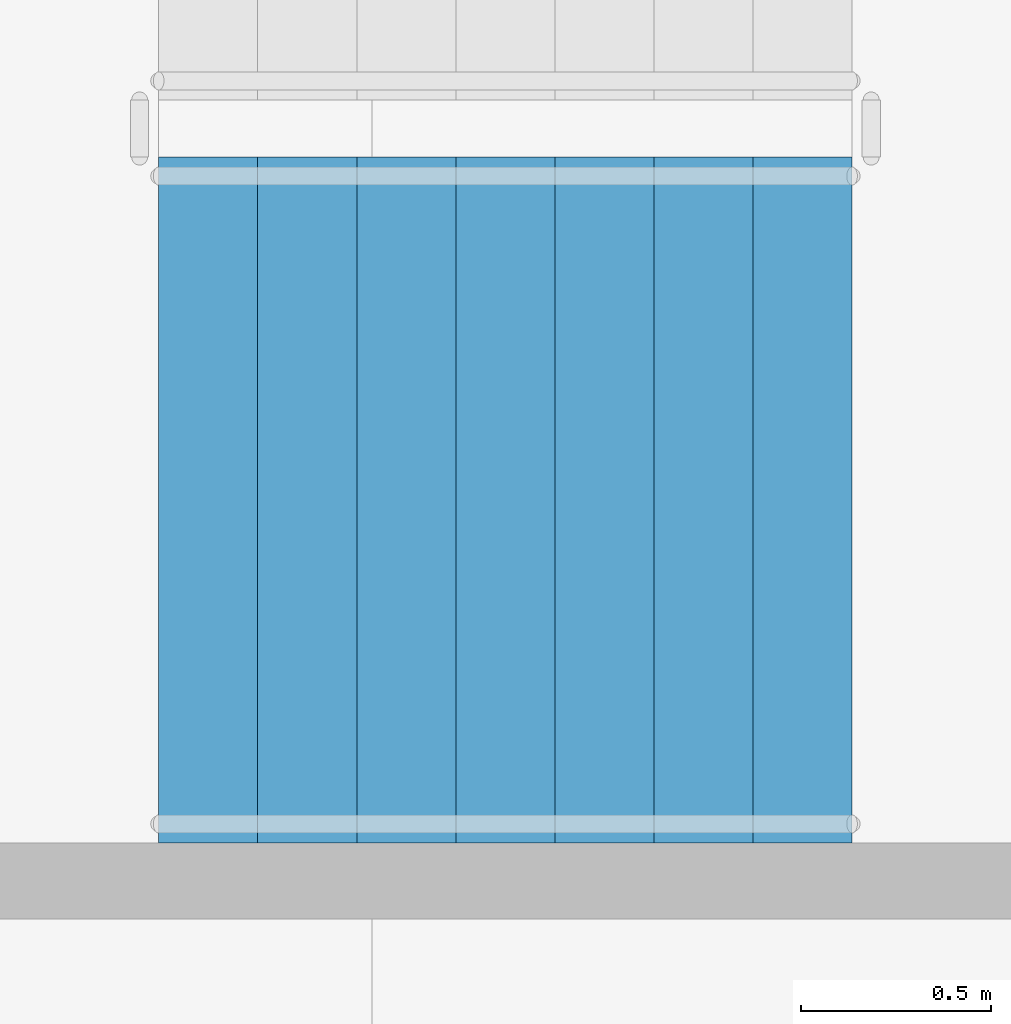
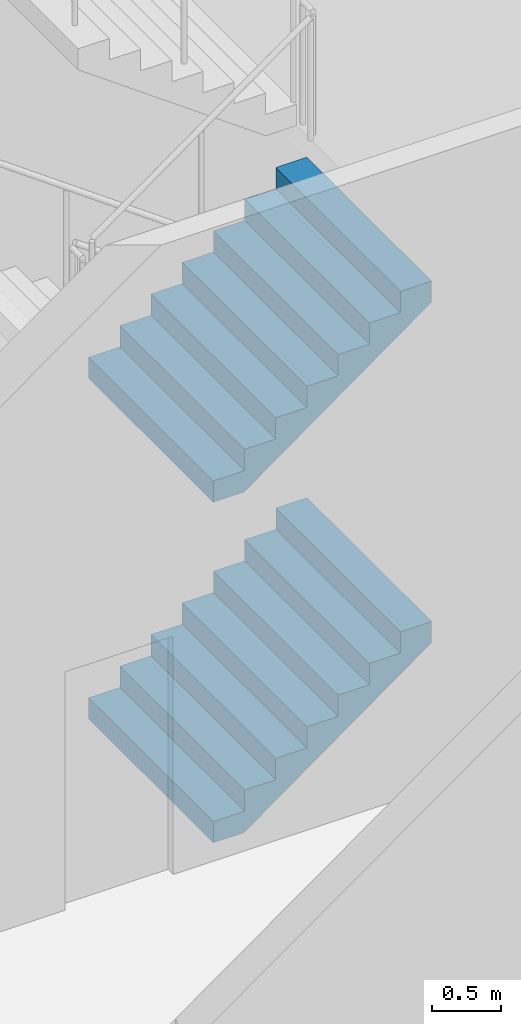
# One storey, part 62 of 75: 2 stair flights, 1 element without a shape of its own.
"""IFC4 building model written with IfcOpenShell, lengths in metres."""

from ifc_helpers import new_model, si_unit, direction, frame, origin, place, context, subcontext, project, spatial, faceted_brep, material, type_object, element, aggregate, save


model = new_model("IFC4")

# Units and contexts
model_context = context("Model", 3, precision=1e-05, world=origin(), true_north=direction((0.0, 1.0)))
body_context = subcontext(model_context, "Body", "Model", "MODEL_VIEW")
ifc_project = project(units=[si_unit("LENGTHUNIT", "METRE"), si_unit("AREAUNIT", "SQUARE_METRE"), si_unit("VOLUMEUNIT", "CUBIC_METRE"), si_unit("PLANEANGLEUNIT", "RADIAN"), si_unit("MASSUNIT", "GRAM", prefix="KILO")], contexts=[model_context])

# Site, building, storey
site_placement = place(None, origin())
site = spatial("IfcSite", under=ifc_project, at=site_placement, CompositionType="ELEMENT")
building_placement = place(site_placement, origin())
building = spatial("IfcBuilding", under=site, at=building_placement, Name="Ipe Terrace Towers", CompositionType="ELEMENT")
storey_placement = place(building_placement, origin())
storey = spatial("IfcBuildingStorey", under=building, at=storey_placement, Name="L00", CompositionType="ELEMENT", Elevation=0.0)

# Stair, stair flights
ifc_material_1 = material(Name="Concrete C30/37", Category="concrete")
stair_type = type_object("IfcStairType", Name="Protected exit stair", PredefinedType="HALF_TURN_STAIR", material=ifc_material_1)
stair_placement = place(storey_placement, origin())
stair = element("IfcStair", 1, at=stair_placement, inside=storey, type_object=stair_type, Name="L00 Podium exit stair PS8", PredefinedType="HALF_TURN_STAIR")
ifc_material_2 = material(Name="Concrete C30/37", Category="concrete")
stair_flight_type = type_object("IfcStairFlightType", Name="Exit stair flight 1800", PredefinedType="STRAIGHT", material=ifc_material_2)
stair_flight_1_placement = place(storey_placement, frame((58.68994140625, 2.5, 0.0), z_axis=(0.0, 0.0, 1.0), x_axis=(1.0, 0.0, 0.0)))
stair_flight_1 = element("IfcStairFlight", 2, at=stair_flight_1_placement, type_object=stair_flight_type, Name="PS8 flight 1", NumberOfRisers=8, NumberOfTreads=7, PredefinedType="STRAIGHT", RiserHeight=0.1875, TreadLength=0.26, context=body_context, shape_type="Brep", body=[
    faceted_brep([(0.25634765625, -0.89990234375, 0.0), (1.820068359375, -0.89990234375, 1.127685546875), (1.820068359375, -0.89990234375, 1.3125), (1.56005859375, -0.89990234375, 1.3125), (1.56005859375, -0.89990234375, 1.125), (1.300048828125, -0.89990234375, 1.125), (1.300048828125, -0.89990234375, 0.9375), (1.0400390625, -0.89990234375, 0.9375), (1.0400390625, -0.89990234375, 0.75), (0.780029296875, -0.89990234375, 0.75), (0.780029296875, -0.89990234375, 0.5625), (0.52001953125, -0.89990234375, 0.5625), (0.52001953125, -0.89990234375, 0.375), (0.260009765625, -0.89990234375, 0.375), (0.260009765625, -0.89990234375, 0.1875), (0.0, -0.89990234375, 0.1875), (0.0, -0.89990234375, 0.0), (0.0, 0.89990234375, 0.0), (0.0, 0.89990234375, 0.1875), (0.260009765625, 0.89990234375, 0.1875), (0.260009765625, 0.89990234375, 0.375), (0.52001953125, 0.89990234375, 0.375), (0.52001953125, 0.89990234375, 0.5625), (0.780029296875, 0.89990234375, 0.5625), (0.780029296875, 0.89990234375, 0.75), (1.0400390625, 0.89990234375, 0.75), (1.0400390625, 0.89990234375, 0.9375), (1.300048828125, 0.89990234375, 0.9375), (1.300048828125, 0.89990234375, 1.125), (1.56005859375, 0.89990234375, 1.125), (1.56005859375, 0.89990234375, 1.3125), (1.820068359375, 0.89990234375, 1.3125), (1.820068359375, 0.89990234375, 1.127685546875), (0.25634765625, 0.89990234375, 0.0), (0.0, -0.300048828125, 0.1875), (0.0, -0.1201171875, 0.1875), (0.0, -0.06005859375, 0.1875), (0.0, -0.030029296875, 0.1875), (0.0, -0.010009765625, 0.1875), (0.0, 0.0, 0.1875), (0.0, 0.010009765625, 0.1875), (0.0, 0.030029296875, 0.1875), (0.0, 0.06005859375, 0.1875), (0.0, 0.1201171875, 0.1875), (0.0, 0.300048828125, 0.1875), (0.0, 0.300048828125, 0.0), (0.0, 0.1201171875, 0.0), (0.0, 0.06005859375, 0.0), (0.0, 0.030029296875, 0.0), (0.0, 0.010009765625, 0.0), (0.0, 0.0, 0.0), (0.0, -0.010009765625, 0.0), (0.0, -0.030029296875, 0.0), (0.0, -0.06005859375, 0.0), (0.0, -0.1201171875, 0.0), (0.0, -0.300048828125, 0.0), (0.260009765625, -0.300048828125, 0.1875), (0.260009765625, -0.1201171875, 0.1875), (0.260009765625, -0.06005859375, 0.1875), (0.260009765625, -0.030029296875, 0.1875), (0.260009765625, -0.010009765625, 0.1875), (0.260009765625, 0.0, 0.1875), (0.260009765625, 0.010009765625, 0.1875), (0.260009765625, 0.030029296875, 0.1875), (0.260009765625, 0.06005859375, 0.1875), (0.260009765625, 0.1201171875, 0.1875), (0.260009765625, 0.300048828125, 0.1875), (0.260009765625, -0.300048828125, 0.375), (0.260009765625, -0.1201171875, 0.375), (0.260009765625, -0.06005859375, 0.375), (0.260009765625, -0.030029296875, 0.375), (0.260009765625, -0.010009765625, 0.375), (0.260009765625, 0.0, 0.375), (0.260009765625, 0.010009765625, 0.375), (0.260009765625, 0.030029296875, 0.375), (0.260009765625, 0.06005859375, 0.375), (0.260009765625, 0.1201171875, 0.375), (0.260009765625, 0.300048828125, 0.375), (0.52001953125, -0.300048828125, 0.375), (0.52001953125, -0.1201171875, 0.375), (0.52001953125, -0.06005859375, 0.375), (0.52001953125, -0.030029296875, 0.375), (0.52001953125, -0.010009765625, 0.375), (0.52001953125, 0.0, 0.375), (0.52001953125, 0.010009765625, 0.375), (0.52001953125, 0.030029296875, 0.375), (0.52001953125, 0.06005859375, 0.375), (0.52001953125, 0.1201171875, 0.375), (0.52001953125, 0.300048828125, 0.375), (0.52001953125, -0.300048828125, 0.5625), (0.52001953125, -0.1201171875, 0.5625), (0.52001953125, -0.06005859375, 0.5625), (0.52001953125, -0.030029296875, 0.5625), (0.52001953125, -0.010009765625, 0.5625), (0.52001953125, 0.0, 0.5625), (0.52001953125, 0.010009765625, 0.5625), (0.52001953125, 0.030029296875, 0.5625), (0.52001953125, 0.06005859375, 0.5625), (0.52001953125, 0.1201171875, 0.5625), (0.52001953125, 0.300048828125, 0.5625), (0.780029296875, -0.300048828125, 0.5625), (0.780029296875, -0.1201171875, 0.5625), (0.780029296875, -0.06005859375, 0.5625), (0.780029296875, -0.030029296875, 0.5625), (0.780029296875, -0.010009765625, 0.5625), (0.780029296875, 0.0, 0.5625), (0.780029296875, 0.010009765625, 0.5625), (0.780029296875, 0.030029296875, 0.5625), (0.780029296875, 0.06005859375, 0.5625), (0.780029296875, 0.1201171875, 0.5625), (0.780029296875, 0.300048828125, 0.5625), (0.780029296875, -0.300048828125, 0.75), (0.780029296875, -0.1201171875, 0.75), (0.780029296875, -0.06005859375, 0.75), (0.780029296875, -0.030029296875, 0.75), (0.780029296875, -0.010009765625, 0.75), (0.780029296875, 0.0, 0.75), (0.780029296875, 0.010009765625, 0.75), (0.780029296875, 0.030029296875, 0.75), (0.780029296875, 0.06005859375, 0.75), (0.780029296875, 0.1201171875, 0.75), (0.780029296875, 0.300048828125, 0.75), (1.0400390625, -0.300048828125, 0.75), (1.0400390625, -0.1201171875, 0.75), (1.0400390625, -0.06005859375, 0.75), (1.0400390625, -0.030029296875, 0.75), (1.0400390625, -0.010009765625, 0.75), (1.0400390625, 0.0, 0.75), (1.0400390625, 0.010009765625, 0.75), (1.0400390625, 0.030029296875, 0.75), (1.0400390625, 0.06005859375, 0.75), (1.0400390625, 0.1201171875, 0.75), (1.0400390625, 0.300048828125, 0.75), (1.0400390625, -0.300048828125, 0.9375), (1.0400390625, -0.1201171875, 0.9375), (1.0400390625, -0.06005859375, 0.9375), (1.0400390625, -0.030029296875, 0.9375), (1.0400390625, -0.010009765625, 0.9375), (1.0400390625, 0.0, 0.9375), (1.0400390625, 0.010009765625, 0.9375), (1.0400390625, 0.030029296875, 0.9375), (1.0400390625, 0.06005859375, 0.9375), (1.0400390625, 0.1201171875, 0.9375), (1.0400390625, 0.300048828125, 0.9375), (1.300048828125, -0.300048828125, 0.9375), (1.300048828125, -0.1201171875, 0.9375), (1.300048828125, -0.06005859375, 0.9375), (1.300048828125, -0.030029296875, 0.9375), (1.300048828125, -0.010009765625, 0.9375), (1.300048828125, 0.0, 0.9375), (1.300048828125, 0.010009765625, 0.9375), (1.300048828125, 0.030029296875, 0.9375), (1.300048828125, 0.06005859375, 0.9375), (1.300048828125, 0.1201171875, 0.9375), (1.300048828125, 0.300048828125, 0.9375), (1.300048828125, -0.300048828125, 1.125), (1.300048828125, -0.1201171875, 1.125), (1.300048828125, -0.06005859375, 1.125), (1.300048828125, -0.030029296875, 1.125), (1.300048828125, -0.010009765625, 1.125), (1.300048828125, 0.0, 1.125), (1.300048828125, 0.010009765625, 1.125), (1.300048828125, 0.030029296875, 1.125), (1.300048828125, 0.06005859375, 1.125), (1.300048828125, 0.1201171875, 1.125), (1.300048828125, 0.300048828125, 1.125), (1.56005859375, -0.300048828125, 1.125), (1.56005859375, -0.1201171875, 1.125), (1.56005859375, -0.06005859375, 1.125), (1.56005859375, -0.030029296875, 1.125), (1.56005859375, -0.010009765625, 1.125), (1.56005859375, 0.0, 1.125), (1.56005859375, 0.010009765625, 1.125), (1.56005859375, 0.030029296875, 1.125), (1.56005859375, 0.06005859375, 1.125), (1.56005859375, 0.1201171875, 1.125), (1.56005859375, 0.300048828125, 1.125), (1.56005859375, -0.300048828125, 1.3125), (1.56005859375, -0.1201171875, 1.3125), (1.56005859375, -0.06005859375, 1.3125), (1.56005859375, -0.030029296875, 1.3125), (1.56005859375, -0.010009765625, 1.3125), (1.56005859375, 0.0, 1.3125), (1.56005859375, 0.010009765625, 1.3125), (1.56005859375, 0.030029296875, 1.3125), (1.56005859375, 0.06005859375, 1.3125), (1.56005859375, 0.1201171875, 1.3125), (1.56005859375, 0.300048828125, 1.3125), (1.820068359375, -0.300048828125, 1.3125), (1.820068359375, -0.1201171875, 1.3125), (1.820068359375, -0.06005859375, 1.3125), (1.820068359375, -0.030029296875, 1.3125), (1.820068359375, -0.010009765625, 1.3125), (1.820068359375, 0.0, 1.3125), (1.820068359375, 0.010009765625, 1.3125), (1.820068359375, 0.030029296875, 1.3125), (1.820068359375, 0.06005859375, 1.3125), (1.820068359375, 0.1201171875, 1.3125), (1.820068359375, 0.300048828125, 1.3125), (1.820068359375, -0.300048828125, 1.127685546875), (1.820068359375, -0.1201171875, 1.127685546875), (1.820068359375, -0.06005859375, 1.127685546875), (1.820068359375, -0.030029296875, 1.127685546875), (1.820068359375, -0.010009765625, 1.127685546875), (1.820068359375, 0.0, 1.127685546875), (1.820068359375, 0.010009765625, 1.127685546875), (1.820068359375, 0.030029296875, 1.127685546875), (1.820068359375, 0.06005859375, 1.127685546875), (1.820068359375, 0.1201171875, 1.127685546875), (1.820068359375, 0.300048828125, 1.127685546875), (0.25634765625, -0.300048828125, 0.0), (0.25634765625, -0.1201171875, 0.0), (0.25634765625, -0.06005859375, 0.0), (0.25634765625, -0.030029296875, 0.0), (0.25634765625, -0.010009765625, 0.0), (0.25634765625, 0.0, 0.0), (0.25634765625, 0.010009765625, 0.0), (0.25634765625, 0.030029296875, 0.0), (0.25634765625, 0.06005859375, 0.0), (0.25634765625, 0.1201171875, 0.0), (0.25634765625, 0.300048828125, 0.0)], [[[0, 1, 2, 3, 4, 5, 6, 7, 8, 9, 10, 11, 12, 13, 14, 15, 16]], [[17, 18, 19, 20, 21, 22, 23, 24, 25, 26, 27, 28, 29, 30, 31, 32, 33]], [[15, 34, 35, 36, 37, 38, 39, 40, 41, 42, 43, 44, 18, 17, 45, 46, 47, 48, 49, 50, 51, 52, 53, 54, 55, 16]], [[14, 56, 57, 58, 59, 60, 61, 62, 63, 64, 65, 66, 19, 18, 44, 43, 42, 41, 40, 39, 38, 37, 36, 35, 34, 15]], [[13, 67, 68, 69, 70, 71, 72, 73, 74, 75, 76, 77, 20, 19, 66, 65, 64, 63, 62, 61, 60, 59, 58, 57, 56, 14]], [[12, 78, 79, 80, 81, 82, 83, 84, 85, 86, 87, 88, 21, 20, 77, 76, 75, 74, 73, 72, 71, 70, 69, 68, 67, 13]], [[11, 89, 90, 91, 92, 93, 94, 95, 96, 97, 98, 99, 22, 21, 88, 87, 86, 85, 84, 83, 82, 81, 80, 79, 78, 12]], [[10, 100, 101, 102, 103, 104, 105, 106, 107, 108, 109, 110, 23, 22, 99, 98, 97, 96, 95, 94, 93, 92, 91, 90, 89, 11]], [[9, 111, 112, 113, 114, 115, 116, 117, 118, 119, 120, 121, 24, 23, 110, 109, 108, 107, 106, 105, 104, 103, 102, 101, 100, 10]], [[8, 122, 123, 124, 125, 126, 127, 128, 129, 130, 131, 132, 25, 24, 121, 120, 119, 118, 117, 116, 115, 114, 113, 112, 111, 9]], [[7, 133, 134, 135, 136, 137, 138, 139, 140, 141, 142, 143, 26, 25, 132, 131, 130, 129, 128, 127, 126, 125, 124, 123, 122, 8]], [[6, 144, 145, 146, 147, 148, 149, 150, 151, 152, 153, 154, 27, 26, 143, 142, 141, 140, 139, 138, 137, 136, 135, 134, 133, 7]], [[5, 155, 156, 157, 158, 159, 160, 161, 162, 163, 164, 165, 28, 27, 154, 153, 152, 151, 150, 149, 148, 147, 146, 145, 144, 6]], [[4, 166, 167, 168, 169, 170, 171, 172, 173, 174, 175, 176, 29, 28, 165, 164, 163, 162, 161, 160, 159, 158, 157, 156, 155, 5]], [[3, 177, 178, 179, 180, 181, 182, 183, 184, 185, 186, 187, 30, 29, 176, 175, 174, 173, 172, 171, 170, 169, 168, 167, 166, 4]], [[2, 188, 189, 190, 191, 192, 193, 194, 195, 196, 197, 198, 31, 30, 187, 186, 185, 184, 183, 182, 181, 180, 179, 178, 177, 3]], [[1, 199, 200, 201, 202, 203, 204, 205, 206, 207, 208, 209, 32, 31, 198, 197, 196, 195, 194, 193, 192, 191, 190, 189, 188, 2]], [[0, 210, 211, 212, 213, 214, 215, 216, 217, 218, 219, 220, 33, 32, 209, 208, 207, 206, 205, 204, 203, 202, 201, 200, 199, 1]], [[16, 55, 54, 53, 52, 51, 50, 49, 48, 47, 46, 45, 17, 33, 220, 219, 218, 217, 216, 215, 214, 213, 212, 211, 210, 0]]]),
])
stair_flight_2_placement = place(storey_placement, frame((58.68994140625, 2.5, 3.0), z_axis=(0.0, 0.0, 1.0), x_axis=(1.0, 0.0, 0.0)))
stair_flight_2 = element("IfcStairFlight", 3, at=stair_flight_2_placement, type_object=stair_flight_type, Name="PS8 flight 3", NumberOfRisers=8, NumberOfTreads=7, PredefinedType="STRAIGHT", RiserHeight=0.1875, TreadLength=0.26, context=body_context, shape_type="Brep", body=[
    faceted_brep([(0.25634765625, -0.89990234375, 0.0), (1.820068359375, -0.89990234375, 1.127685546875), (1.820068359375, -0.89990234375, 1.3125), (1.56005859375, -0.89990234375, 1.3125), (1.56005859375, -0.89990234375, 1.125), (1.300048828125, -0.89990234375, 1.125), (1.300048828125, -0.89990234375, 0.9375), (1.0400390625, -0.89990234375, 0.9375), (1.0400390625, -0.89990234375, 0.75), (0.780029296875, -0.89990234375, 0.75), (0.780029296875, -0.89990234375, 0.5625), (0.52001953125, -0.89990234375, 0.5625), (0.52001953125, -0.89990234375, 0.375), (0.260009765625, -0.89990234375, 0.375), (0.260009765625, -0.89990234375, 0.1875), (0.0, -0.89990234375, 0.1875), (0.0, -0.89990234375, 0.0), (0.0, 0.89990234375, 0.0), (0.0, 0.89990234375, 0.1875), (0.260009765625, 0.89990234375, 0.1875), (0.260009765625, 0.89990234375, 0.375), (0.52001953125, 0.89990234375, 0.375), (0.52001953125, 0.89990234375, 0.5625), (0.780029296875, 0.89990234375, 0.5625), (0.780029296875, 0.89990234375, 0.75), (1.0400390625, 0.89990234375, 0.75), (1.0400390625, 0.89990234375, 0.9375), (1.300048828125, 0.89990234375, 0.9375), (1.300048828125, 0.89990234375, 1.125), (1.56005859375, 0.89990234375, 1.125), (1.56005859375, 0.89990234375, 1.3125), (1.820068359375, 0.89990234375, 1.3125), (1.820068359375, 0.89990234375, 1.127685546875), (0.25634765625, 0.89990234375, 0.0), (0.0, -0.300048828125, 0.1875), (0.0, -0.1201171875, 0.1875), (0.0, -0.06005859375, 0.1875), (0.0, -0.030029296875, 0.1875), (0.0, -0.010009765625, 0.1875), (0.0, 0.0, 0.1875), (0.0, 0.010009765625, 0.1875), (0.0, 0.030029296875, 0.1875), (0.0, 0.06005859375, 0.1875), (0.0, 0.1201171875, 0.1875), (0.0, 0.300048828125, 0.1875), (0.0, 0.300048828125, 0.0), (0.0, 0.1201171875, 0.0), (0.0, 0.06005859375, 0.0), (0.0, 0.030029296875, 0.0), (0.0, 0.010009765625, 0.0), (0.0, 0.0, 0.0), (0.0, -0.010009765625, 0.0), (0.0, -0.030029296875, 0.0), (0.0, -0.06005859375, 0.0), (0.0, -0.1201171875, 0.0), (0.0, -0.300048828125, 0.0), (0.260009765625, -0.300048828125, 0.1875), (0.260009765625, -0.1201171875, 0.1875), (0.260009765625, -0.06005859375, 0.1875), (0.260009765625, -0.030029296875, 0.1875), (0.260009765625, -0.010009765625, 0.1875), (0.260009765625, 0.0, 0.1875), (0.260009765625, 0.010009765625, 0.1875), (0.260009765625, 0.030029296875, 0.1875), (0.260009765625, 0.06005859375, 0.1875), (0.260009765625, 0.1201171875, 0.1875), (0.260009765625, 0.300048828125, 0.1875), (0.260009765625, -0.300048828125, 0.375), (0.260009765625, -0.1201171875, 0.375), (0.260009765625, -0.06005859375, 0.375), (0.260009765625, -0.030029296875, 0.375), (0.260009765625, -0.010009765625, 0.375), (0.260009765625, 0.0, 0.375), (0.260009765625, 0.010009765625, 0.375), (0.260009765625, 0.030029296875, 0.375), (0.260009765625, 0.06005859375, 0.375), (0.260009765625, 0.1201171875, 0.375), (0.260009765625, 0.300048828125, 0.375), (0.52001953125, -0.300048828125, 0.375), (0.52001953125, -0.1201171875, 0.375), (0.52001953125, -0.06005859375, 0.375), (0.52001953125, -0.030029296875, 0.375), (0.52001953125, -0.010009765625, 0.375), (0.52001953125, 0.0, 0.375), (0.52001953125, 0.010009765625, 0.375), (0.52001953125, 0.030029296875, 0.375), (0.52001953125, 0.06005859375, 0.375), (0.52001953125, 0.1201171875, 0.375), (0.52001953125, 0.300048828125, 0.375), (0.52001953125, -0.300048828125, 0.5625), (0.52001953125, -0.1201171875, 0.5625), (0.52001953125, -0.06005859375, 0.5625), (0.52001953125, -0.030029296875, 0.5625), (0.52001953125, -0.010009765625, 0.5625), (0.52001953125, 0.0, 0.5625), (0.52001953125, 0.010009765625, 0.5625), (0.52001953125, 0.030029296875, 0.5625), (0.52001953125, 0.06005859375, 0.5625), (0.52001953125, 0.1201171875, 0.5625), (0.52001953125, 0.300048828125, 0.5625), (0.780029296875, -0.300048828125, 0.5625), (0.780029296875, -0.1201171875, 0.5625), (0.780029296875, -0.06005859375, 0.5625), (0.780029296875, -0.030029296875, 0.5625), (0.780029296875, -0.010009765625, 0.5625), (0.780029296875, 0.0, 0.5625), (0.780029296875, 0.010009765625, 0.5625), (0.780029296875, 0.030029296875, 0.5625), (0.780029296875, 0.06005859375, 0.5625), (0.780029296875, 0.1201171875, 0.5625), (0.780029296875, 0.300048828125, 0.5625), (0.780029296875, -0.300048828125, 0.75), (0.780029296875, -0.1201171875, 0.75), (0.780029296875, -0.06005859375, 0.75), (0.780029296875, -0.030029296875, 0.75), (0.780029296875, -0.010009765625, 0.75), (0.780029296875, 0.0, 0.75), (0.780029296875, 0.010009765625, 0.75), (0.780029296875, 0.030029296875, 0.75), (0.780029296875, 0.06005859375, 0.75), (0.780029296875, 0.1201171875, 0.75), (0.780029296875, 0.300048828125, 0.75), (1.0400390625, -0.300048828125, 0.75), (1.0400390625, -0.1201171875, 0.75), (1.0400390625, -0.06005859375, 0.75), (1.0400390625, -0.030029296875, 0.75), (1.0400390625, -0.010009765625, 0.75), (1.0400390625, 0.0, 0.75), (1.0400390625, 0.010009765625, 0.75), (1.0400390625, 0.030029296875, 0.75), (1.0400390625, 0.06005859375, 0.75), (1.0400390625, 0.1201171875, 0.75), (1.0400390625, 0.300048828125, 0.75), (1.0400390625, -0.300048828125, 0.9375), (1.0400390625, -0.1201171875, 0.9375), (1.0400390625, -0.06005859375, 0.9375), (1.0400390625, -0.030029296875, 0.9375), (1.0400390625, -0.010009765625, 0.9375), (1.0400390625, 0.0, 0.9375), (1.0400390625, 0.010009765625, 0.9375), (1.0400390625, 0.030029296875, 0.9375), (1.0400390625, 0.06005859375, 0.9375), (1.0400390625, 0.1201171875, 0.9375), (1.0400390625, 0.300048828125, 0.9375), (1.300048828125, -0.300048828125, 0.9375), (1.300048828125, -0.1201171875, 0.9375), (1.300048828125, -0.06005859375, 0.9375), (1.300048828125, -0.030029296875, 0.9375), (1.300048828125, -0.010009765625, 0.9375), (1.300048828125, 0.0, 0.9375), (1.300048828125, 0.010009765625, 0.9375), (1.300048828125, 0.030029296875, 0.9375), (1.300048828125, 0.06005859375, 0.9375), (1.300048828125, 0.1201171875, 0.9375), (1.300048828125, 0.300048828125, 0.9375), (1.300048828125, -0.300048828125, 1.125), (1.300048828125, -0.1201171875, 1.125), (1.300048828125, -0.06005859375, 1.125), (1.300048828125, -0.030029296875, 1.125), (1.300048828125, -0.010009765625, 1.125), (1.300048828125, 0.0, 1.125), (1.300048828125, 0.010009765625, 1.125), (1.300048828125, 0.030029296875, 1.125), (1.300048828125, 0.06005859375, 1.125), (1.300048828125, 0.1201171875, 1.125), (1.300048828125, 0.300048828125, 1.125), (1.56005859375, -0.300048828125, 1.125), (1.56005859375, -0.1201171875, 1.125), (1.56005859375, -0.06005859375, 1.125), (1.56005859375, -0.030029296875, 1.125), (1.56005859375, -0.010009765625, 1.125), (1.56005859375, 0.0, 1.125), (1.56005859375, 0.010009765625, 1.125), (1.56005859375, 0.030029296875, 1.125), (1.56005859375, 0.06005859375, 1.125), (1.56005859375, 0.1201171875, 1.125), (1.56005859375, 0.300048828125, 1.125), (1.56005859375, -0.300048828125, 1.3125), (1.56005859375, -0.1201171875, 1.3125), (1.56005859375, -0.06005859375, 1.3125), (1.56005859375, -0.030029296875, 1.3125), (1.56005859375, -0.010009765625, 1.3125), (1.56005859375, 0.0, 1.3125), (1.56005859375, 0.010009765625, 1.3125), (1.56005859375, 0.030029296875, 1.3125), (1.56005859375, 0.06005859375, 1.3125), (1.56005859375, 0.1201171875, 1.3125), (1.56005859375, 0.300048828125, 1.3125), (1.820068359375, -0.300048828125, 1.3125), (1.820068359375, -0.1201171875, 1.3125), (1.820068359375, -0.06005859375, 1.3125), (1.820068359375, -0.030029296875, 1.3125), (1.820068359375, -0.010009765625, 1.3125), (1.820068359375, 0.0, 1.3125), (1.820068359375, 0.010009765625, 1.3125), (1.820068359375, 0.030029296875, 1.3125), (1.820068359375, 0.06005859375, 1.3125), (1.820068359375, 0.1201171875, 1.3125), (1.820068359375, 0.300048828125, 1.3125), (1.820068359375, -0.300048828125, 1.127685546875), (1.820068359375, -0.1201171875, 1.127685546875), (1.820068359375, -0.06005859375, 1.127685546875), (1.820068359375, -0.030029296875, 1.127685546875), (1.820068359375, -0.010009765625, 1.127685546875), (1.820068359375, 0.0, 1.127685546875), (1.820068359375, 0.010009765625, 1.127685546875), (1.820068359375, 0.030029296875, 1.127685546875), (1.820068359375, 0.06005859375, 1.127685546875), (1.820068359375, 0.1201171875, 1.127685546875), (1.820068359375, 0.300048828125, 1.127685546875), (0.25634765625, -0.300048828125, 0.0), (0.25634765625, -0.1201171875, 0.0), (0.25634765625, -0.06005859375, 0.0), (0.25634765625, -0.030029296875, 0.0), (0.25634765625, -0.010009765625, 0.0), (0.25634765625, 0.0, 0.0), (0.25634765625, 0.010009765625, 0.0), (0.25634765625, 0.030029296875, 0.0), (0.25634765625, 0.06005859375, 0.0), (0.25634765625, 0.1201171875, 0.0), (0.25634765625, 0.300048828125, 0.0)], [[[0, 1, 2, 3, 4, 5, 6, 7, 8, 9, 10, 11, 12, 13, 14, 15, 16]], [[17, 18, 19, 20, 21, 22, 23, 24, 25, 26, 27, 28, 29, 30, 31, 32, 33]], [[15, 34, 35, 36, 37, 38, 39, 40, 41, 42, 43, 44, 18, 17, 45, 46, 47, 48, 49, 50, 51, 52, 53, 54, 55, 16]], [[14, 56, 57, 58, 59, 60, 61, 62, 63, 64, 65, 66, 19, 18, 44, 43, 42, 41, 40, 39, 38, 37, 36, 35, 34, 15]], [[13, 67, 68, 69, 70, 71, 72, 73, 74, 75, 76, 77, 20, 19, 66, 65, 64, 63, 62, 61, 60, 59, 58, 57, 56, 14]], [[12, 78, 79, 80, 81, 82, 83, 84, 85, 86, 87, 88, 21, 20, 77, 76, 75, 74, 73, 72, 71, 70, 69, 68, 67, 13]], [[11, 89, 90, 91, 92, 93, 94, 95, 96, 97, 98, 99, 22, 21, 88, 87, 86, 85, 84, 83, 82, 81, 80, 79, 78, 12]], [[10, 100, 101, 102, 103, 104, 105, 106, 107, 108, 109, 110, 23, 22, 99, 98, 97, 96, 95, 94, 93, 92, 91, 90, 89, 11]], [[9, 111, 112, 113, 114, 115, 116, 117, 118, 119, 120, 121, 24, 23, 110, 109, 108, 107, 106, 105, 104, 103, 102, 101, 100, 10]], [[8, 122, 123, 124, 125, 126, 127, 128, 129, 130, 131, 132, 25, 24, 121, 120, 119, 118, 117, 116, 115, 114, 113, 112, 111, 9]], [[7, 133, 134, 135, 136, 137, 138, 139, 140, 141, 142, 143, 26, 25, 132, 131, 130, 129, 128, 127, 126, 125, 124, 123, 122, 8]], [[6, 144, 145, 146, 147, 148, 149, 150, 151, 152, 153, 154, 27, 26, 143, 142, 141, 140, 139, 138, 137, 136, 135, 134, 133, 7]], [[5, 155, 156, 157, 158, 159, 160, 161, 162, 163, 164, 165, 28, 27, 154, 153, 152, 151, 150, 149, 148, 147, 146, 145, 144, 6]], [[4, 166, 167, 168, 169, 170, 171, 172, 173, 174, 175, 176, 29, 28, 165, 164, 163, 162, 161, 160, 159, 158, 157, 156, 155, 5]], [[3, 177, 178, 179, 180, 181, 182, 183, 184, 185, 186, 187, 30, 29, 176, 175, 174, 173, 172, 171, 170, 169, 168, 167, 166, 4]], [[2, 188, 189, 190, 191, 192, 193, 194, 195, 196, 197, 198, 31, 30, 187, 186, 185, 184, 183, 182, 181, 180, 179, 178, 177, 3]], [[1, 199, 200, 201, 202, 203, 204, 205, 206, 207, 208, 209, 32, 31, 198, 197, 196, 195, 194, 193, 192, 191, 190, 189, 188, 2]], [[0, 210, 211, 212, 213, 214, 215, 216, 217, 218, 219, 220, 33, 32, 209, 208, 207, 206, 205, 204, 203, 202, 201, 200, 199, 1]], [[16, 55, 54, 53, 52, 51, 50, 49, 48, 47, 46, 45, 17, 33, 220, 219, 218, 217, 216, 215, 214, 213, 212, 211, 210, 0]]]),
])
aggregate(stair, [stair_flight_1, stair_flight_2])

save(model, "model.ifc")
